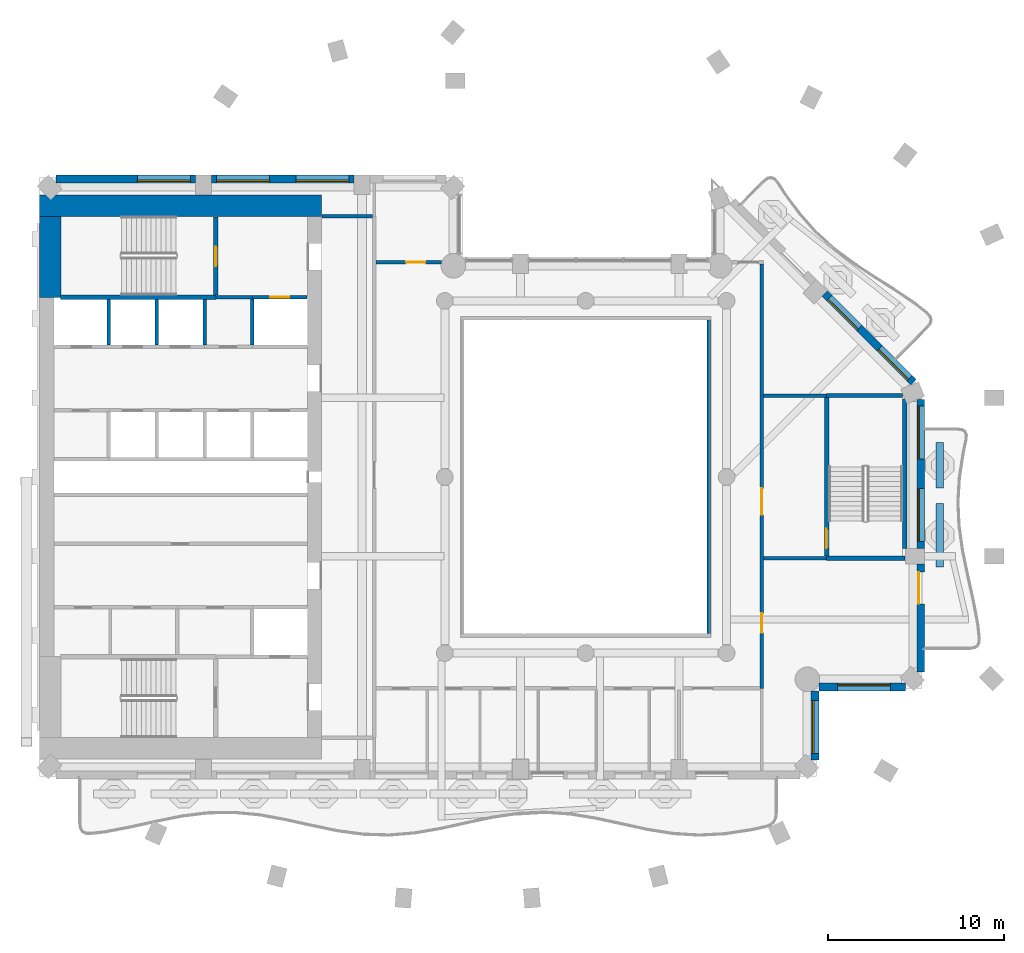
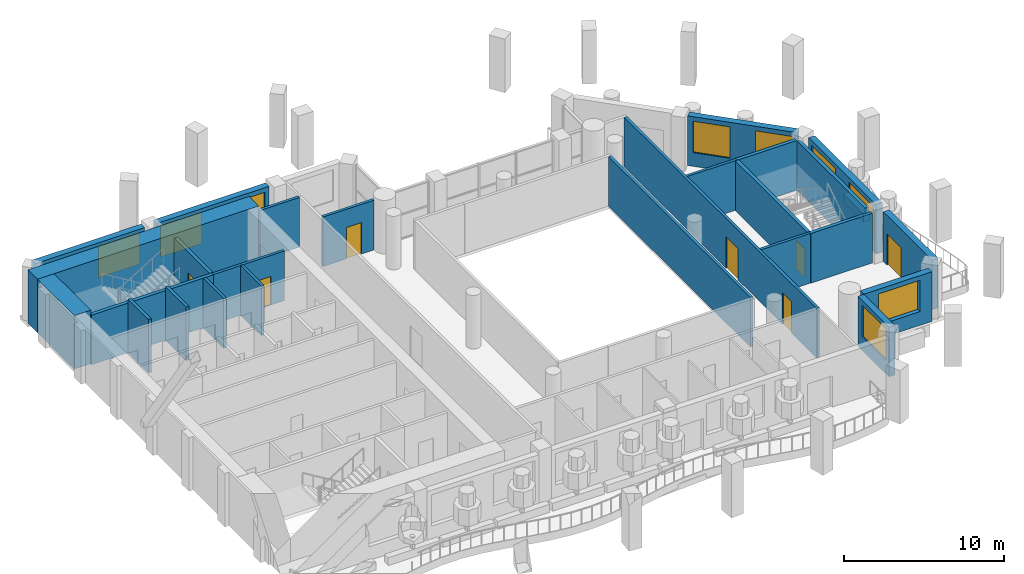
# One storey, part 6 of 16: 29 walls, 9 windows, 7 doors, 16 openings.
"""IFC4 building model written with IfcOpenShell, lengths in metres."""

from ifc_helpers import new_model, si_unit, direction, frame, frame_2d, origin, place, context, subcontext, project, spatial, rectangle, extrude, material, layer, layer_set, type_object, element, fill, save


model = new_model("IFC4")

# Units and contexts
model_context = context("Model", 3, precision=1e-05, world=origin(), true_north=direction((0.0, 1.0)))
body_context = subcontext(model_context, "Body", "Model", "MODEL_VIEW")
ifc_project = project(units=[si_unit("LENGTHUNIT", "METRE"), si_unit("AREAUNIT", "SQUARE_METRE"), si_unit("VOLUMEUNIT", "CUBIC_METRE"), si_unit("PLANEANGLEUNIT", "RADIAN"), si_unit("MASSUNIT", "GRAM", prefix="KILO")], contexts=[model_context])

# Site, building, storey
site_placement = place(None, origin())
site = spatial("IfcSite", under=ifc_project, at=site_placement, CompositionType="ELEMENT")
building_placement = place(site_placement, origin())
building = spatial("IfcBuilding", under=site, at=building_placement, Name="Cypress Arch Tower", CompositionType="ELEMENT")
storey_placement = place(building_placement, frame((0.0, 0.0, 172.800048828125)))
storey = spatial("IfcBuildingStorey", under=building, at=storey_placement, Name="L37", CompositionType="ELEMENT", Elevation=172.800048828125)

# Walls
ifc_material_1 = material(Name="Concrete C40/50, waterproofed", Category="concrete")
ifc_layer_1 = layer(ifc_material_1, 0.449951171875)
ifc_layer_set_1 = layer_set([ifc_layer_1], Name="Balcony planter wall PW450")
wall_type_1 = type_object("IfcWallType", Name="Balcony planter wall PW450", PredefinedType="SOLIDWALL", material=ifc_layer_set_1)
wall_1_placement = place(storey_placement, frame((21.10009765625, -5.10009765625, 0.0), z_axis=(0.0, 0.0, 1.0), x_axis=(0.0, 1.0, 0.0)))
element("IfcWall", 1, at=wall_1_placement, inside=storey, type_object=wall_type_1, Name="Balcony planter wall L37-B04.1", PredefinedType="SOLIDWALL", context=body_context, shape_type="SweptSolid", body=[
    extrude(rectangle(XDim=3.58349609375, YDim=0.449951171875, at=frame_2d((1.791748046875, 0.0))), origin(), (0.0, 0.0, 1.0), 0.599853515625),
])
wall_2_placement = place(storey_placement, frame((21.10009765625, -0.61669921875, 0.0), z_axis=(0.0, 0.0, 1.0), x_axis=(0.0, 1.0, 0.0)))
element("IfcWall", 2, at=wall_2_placement, inside=storey, type_object=wall_type_1, Name="Balcony planter wall L37-B04.2", PredefinedType="SOLIDWALL", context=body_context, shape_type="SweptSolid", body=[
    extrude(rectangle(XDim=2.566650390625, YDim=0.449951171875, at=frame_2d((1.283203125, 0.0))), origin(), (0.0, 0.0, 1.0), 0.599853515625),
])

# Wall, opening, window
ifc_material_2 = material(Name="Brick (red buff blend)", Category="masonry")
ifc_layer_2 = layer(ifc_material_2, 0.449951171875)
ifc_layer_set_2 = layer_set([ifc_layer_2], Name="Brick pier and spandrel wall BW450")
wall_type_2 = type_object("IfcWallType", Name="Brick pier and spandrel wall BW450", PredefinedType="SOLIDWALL", material=ifc_layer_set_2)
wall_3_placement = place(storey_placement, frame((14.02490234375, -16.063720703125, 0.0), z_axis=(0.0, 0.0, 1.0), x_axis=(0.0, 1.0, 0.0)))
wall_3 = element("IfcWall", 3, at=wall_3_placement, inside=storey, type_object=wall_type_2, Name="Brick wall L37 B02.0", PredefinedType="SOLIDWALL", context=body_context, shape_type="SweptSolid", body=[
    extrude(rectangle(XDim=3.9091796875, YDim=0.449951171875, at=frame_2d((1.95458984375, 0.0))), origin(), (0.0, 0.0, 1.0), 3.800048828125),
])
opening_1_placement = place(wall_3_placement, frame((0.363525390625, 0.0, 1.050048828125)))
opening_1 = element("IfcOpeningElement", 4, at=opening_1_placement, cuts=wall_3, Name="Opening W300O", PredefinedType="OPENING", context=body_context, shape_type="SweptSolid", body=[
    extrude(rectangle(XDim=3.0, YDim=2.39990234375, at=frame_2d((1.5, 1.199951171875))), frame((0.0, 0.23486328125, 0.0), z_axis=(0.0, -1.0, 0.0), x_axis=(1.0, 0.0, 0.0)), (0.0, 0.0, 1.0), 0.469970703125),
])
ifc_material_3 = material(Name="Anodised aluminium, bronze finish, clear low-emissivity double glazing", Category="aluminium")
window_type_1 = type_object("IfcWindowType", Name="Window Office 3000x2400", PartitioningType="SINGLE_PANEL", PredefinedType="WINDOW", material=ifc_material_3)
window_1_placement = place(opening_1_placement, origin())
window_1 = element("IfcWindow", 5, at=window_1_placement, inside=storey, type_object=window_type_1, Name="Window L37 B02.0.1", OverallHeight=2.39990234375, OverallWidth=3.0, PartitioningType="SINGLE_PANEL", PredefinedType="WINDOW", context=body_context, shape_type="SweptSolid", body=[
    extrude(rectangle(XDim=3.0, YDim=2.39990234375, at=frame_2d((1.5, 1.199951171875))), frame((0.0, 0.135009765625, 0.0), z_axis=(0.0, -1.0, 0.0), x_axis=(1.0, 0.0, 0.0)), (0.0, 0.0, 1.0), 0.06005859375),
])
fill(opening_1, window_1)

wall_4_placement = place(storey_placement, frame((14.254638671875, -11.925048828125, 0.0), z_axis=(0.0, 0.0, 1.0), x_axis=(1.0, 0.0, 0.0)))
wall_4 = element("IfcWall", 6, at=wall_4_placement, inside=storey, type_object=wall_type_2, Name="Brick wall L37 B03.0", PredefinedType="SOLIDWALL", context=body_context, shape_type="SweptSolid", body=[
    extrude(rectangle(XDim=4.908935546875, YDim=0.449951171875, at=frame_2d((2.45458984375, 0.0))), origin(), (0.0, 0.0, 1.0), 3.800048828125),
])
opening_2_placement = place(wall_4_placement, frame((1.04541015625, 0.0, 1.050048828125)))
opening_2 = element("IfcOpeningElement", 7, at=opening_2_placement, cuts=wall_4, Name="Opening W300O", PredefinedType="OPENING", context=body_context, shape_type="SweptSolid", body=[
    extrude(rectangle(XDim=3.0, YDim=2.39990234375, at=frame_2d((1.5, 1.199951171875))), frame((0.0, 0.23486328125, 0.0), z_axis=(0.0, -1.0, 0.0), x_axis=(1.0, 0.0, 0.0)), (0.0, 0.0, 1.0), 0.469970703125),
])
window_2_placement = place(opening_2_placement, origin())
window_2 = element("IfcWindow", 8, at=window_2_placement, inside=storey, type_object=window_type_1, Name="Window L37 B03.0.1", OverallHeight=2.39990234375, OverallWidth=3.0, PartitioningType="SINGLE_PANEL", PredefinedType="WINDOW", context=body_context, shape_type="SweptSolid", body=[
    extrude(rectangle(XDim=3.0, YDim=2.39990234375, at=frame_2d((1.5, 1.199951171875))), frame((0.0, 0.135009765625, 0.0), z_axis=(0.0, -1.0, 0.0), x_axis=(1.0, 0.0, 0.0)), (0.0, 0.0, 1.0), 0.06005859375),
])
fill(opening_2, window_2)

# Wall, opening, door
wall_5_placement = place(storey_placement, frame((20.02490234375, -11.063720703125, 0.0), z_axis=(0.0, 0.0, 1.0), x_axis=(0.0, 1.0, 0.0)))
wall_5 = element("IfcWall", 9, at=wall_5_placement, inside=storey, type_object=wall_type_2, Name="Brick wall L37 B04.0", PredefinedType="SOLIDWALL", context=body_context, shape_type="SweptSolid", body=[
    extrude(rectangle(XDim=6.11376953125, YDim=0.449951171875, at=frame_2d((3.056884765625, 0.0))), origin(), (0.0, 0.0, 1.0), 3.800048828125),
])
opening_3_placement = place(wall_5_placement, frame((3.863525390625, 0.0, 0.0)))
opening_3 = element("IfcOpeningElement", 10, at=opening_3_placement, cuts=wall_5, Name="Opening D-L37-B04.0.2", PredefinedType="OPENING", context=body_context, shape_type="SweptSolid", body=[
    extrude(rectangle(XDim=1.800048828125, YDim=2.39990234375, at=frame_2d((0.89990234375, 1.199951171875))), frame((0.0, 0.23486328125, 0.0), z_axis=(0.0, -1.0, 0.0), x_axis=(1.0, 0.0, 0.0)), (0.0, 0.0, 1.0), 0.469970703125),
])
ifc_material_4 = material(Name="Anodised aluminium, bronze finish, laminated low-emissivity double glazing, large-missile impact rated", Category="aluminium")
door_type_1 = type_object("IfcDoorType", Name="Balcony sliding door 1800x2400", OperationType="SLIDING_TO_LEFT", PredefinedType="DOOR", material=ifc_material_4)
door_1_placement = place(opening_3_placement, origin())
door_1 = element("IfcDoor", 11, at=door_1_placement, inside=storey, type_object=door_type_1, Name="Balcony door L37 B04.0.2", OperationType="SLIDING_TO_LEFT", OverallHeight=2.39990234375, OverallWidth=1.800048828125, PredefinedType="DOOR", context=body_context, shape_type="SweptSolid", body=[
    extrude(rectangle(XDim=1.800048828125, YDim=2.39990234375, at=frame_2d((0.89990234375, 1.199951171875))), frame((0.0, 0.1298828125, 0.0), z_axis=(0.0, -1.0, 0.0), x_axis=(1.0, 0.0, 0.0)), (0.0, 0.0, 1.0), 0.050048828125),
])
fill(opening_3, door_1)

# Wall, openings, windows
wall_6_placement = place(storey_placement, frame((20.02490234375, -4.050048828125, 0.0), z_axis=(0.0, 0.0, 1.0), x_axis=(0.0, 1.0, 0.0)))
wall_6 = element("IfcWall", 12, at=wall_6_placement, inside=storey, type_object=wall_type_2, Name="Brick wall L37 B04.1", PredefinedType="SOLIDWALL", context=body_context, shape_type="SweptSolid", body=[
    extrude(rectangle(XDim=8.438720703125, YDim=0.449951171875, at=frame_2d((4.21923828125, 0.0))), origin(), (0.0, 0.0, 1.0), 3.800048828125),
])
opening_4_placement = place(wall_6_placement, frame((0.39404296875, 0.0, 1.050048828125)))
opening_4 = element("IfcOpeningElement", 13, at=opening_4_placement, cuts=wall_6, Name="Opening W300OD", PredefinedType="OPENING", context=body_context, shape_type="SweptSolid", body=[
    extrude(rectangle(XDim=3.0, YDim=2.39990234375, at=frame_2d((1.5, 1.199951171875))), frame((0.0, 0.23486328125, 0.0), z_axis=(0.0, -1.0, 0.0), x_axis=(1.0, 0.0, 0.0)), (0.0, 0.0, 1.0), 0.469970703125),
])
opening_5_placement = place(wall_6_placement, frame((5.081787109375, 0.0, 1.050048828125)))
opening_5 = element("IfcOpeningElement", 14, at=opening_5_placement, cuts=wall_6, Name="Opening W300OD", PredefinedType="OPENING", context=body_context, shape_type="SweptSolid", body=[
    extrude(rectangle(XDim=3.0, YDim=2.39990234375, at=frame_2d((1.5, 1.199951171875))), frame((0.0, 0.23486328125, 0.0), z_axis=(0.0, -1.0, 0.0), x_axis=(1.0, 0.0, 0.0)), (0.0, 0.0, 1.0), 0.469970703125),
])
ifc_material_5 = material(Name="Anodised aluminium, bronze finish, laminated low-emissivity double glazing, large-missile impact rated", Category="aluminium")
window_type_2 = type_object("IfcWindowType", Name="Window Office 3000x2400 debris-rated", PartitioningType="SINGLE_PANEL", PredefinedType="WINDOW", material=ifc_material_5)
window_3_placement = place(opening_4_placement, origin())
window_3 = element("IfcWindow", 15, at=window_3_placement, inside=storey, type_object=window_type_2, Name="Window L37 B04.1.1", OverallHeight=2.39990234375, OverallWidth=3.0, PartitioningType="SINGLE_PANEL", PredefinedType="WINDOW", context=body_context, shape_type="SweptSolid", body=[
    extrude(rectangle(XDim=3.0, YDim=2.39990234375, at=frame_2d((1.5, 1.199951171875))), frame((0.0, 0.135009765625, 0.0), z_axis=(0.0, -1.0, 0.0), x_axis=(1.0, 0.0, 0.0)), (0.0, 0.0, 1.0), 0.06005859375),
])
fill(opening_4, window_3)
window_4_placement = place(opening_5_placement, origin())
window_4 = element("IfcWindow", 16, at=window_4_placement, inside=storey, type_object=window_type_2, Name="Window L37 B04.1.2", OverallHeight=2.39990234375, OverallWidth=3.0, PartitioningType="SINGLE_PANEL", PredefinedType="WINDOW", context=body_context, shape_type="SweptSolid", body=[
    extrude(rectangle(XDim=3.0, YDim=2.39990234375, at=frame_2d((1.5, 1.199951171875))), frame((0.0, 0.135009765625, 0.0), z_axis=(0.0, -1.0, 0.0), x_axis=(1.0, 0.0, 0.0)), (0.0, 0.0, 1.0), 0.06005859375),
])
fill(opening_5, window_4)

wall_7_placement = place(storey_placement, frame((19.61474609375, 5.379150390625, 0.0), z_axis=(0.0, 0.0, 1.0), x_axis=(-0.707089646058, 0.7071239159, 0.0)))
wall_7 = element("IfcWall", 17, at=wall_7_placement, inside=storey, type_object=wall_type_2, Name="Brick wall L37 B05.0", PredefinedType="SOLIDWALL", context=body_context, shape_type="SweptSolid", body=[
    extrude(rectangle(XDim=7.1240234375, YDim=0.449951171875, at=frame_2d((3.56201171875, 0.0))), origin(), (0.0, 0.0, 1.0), 3.800048828125),
])
opening_6_placement = place(wall_7_placement, frame((0.328125, 0.0, 1.050048828125)))
opening_6 = element("IfcOpeningElement", 18, at=opening_6_placement, cuts=wall_7, Name="Opening W240OD", PredefinedType="OPENING", context=body_context, shape_type="SweptSolid", body=[
    extrude(rectangle(XDim=2.39990234375, YDim=2.39990234375, at=frame_2d((1.199951171875, 1.199951171875))), frame((0.0, 0.23486328125, 0.0), z_axis=(0.0, -1.0, 0.0), x_axis=(1.0, 0.0, 0.0)), (0.0, 0.0, 1.0), 0.469970703125),
])
opening_7_placement = place(wall_7_placement, frame((4.358642578125, 0.0, 1.050048828125)))
opening_7 = element("IfcOpeningElement", 19, at=opening_7_placement, cuts=wall_7, Name="Opening W240OD", PredefinedType="OPENING", context=body_context, shape_type="SweptSolid", body=[
    extrude(rectangle(XDim=2.39990234375, YDim=2.39990234375, at=frame_2d((1.199951171875, 1.199951171875))), frame((0.0, 0.23486328125, 0.0), z_axis=(0.0, -1.0, 0.0), x_axis=(1.0, 0.0, 0.0)), (0.0, 0.0, 1.0), 0.469970703125),
])
ifc_material_6 = material(Name="Anodised aluminium, bronze finish, laminated low-emissivity double glazing, large-missile impact rated", Category="aluminium")
window_type_3 = type_object("IfcWindowType", Name="Window Office 2400x2400 debris-rated", PartitioningType="SINGLE_PANEL", PredefinedType="WINDOW", material=ifc_material_6)
window_5_placement = place(opening_6_placement, origin())
window_5 = element("IfcWindow", 20, at=window_5_placement, inside=storey, type_object=window_type_3, Name="Window L37 B05.0.1", OverallHeight=2.39990234375, OverallWidth=2.39990234375, PartitioningType="SINGLE_PANEL", PredefinedType="WINDOW", context=body_context, shape_type="SweptSolid", body=[
    extrude(rectangle(XDim=2.39990234375, YDim=2.39990234375, at=frame_2d((1.199951171875, 1.199951171875))), frame((0.0, 0.135009765625, 0.0), z_axis=(0.0, -1.0, 0.0), x_axis=(1.0, 0.0, 0.0)), (0.0, 0.0, 1.0), 0.06005859375),
])
fill(opening_6, window_5)
window_6_placement = place(opening_7_placement, origin())
window_6 = element("IfcWindow", 21, at=window_6_placement, inside=storey, type_object=window_type_3, Name="Window L37 B05.0.2", OverallHeight=2.39990234375, OverallWidth=2.39990234375, PartitioningType="SINGLE_PANEL", PredefinedType="WINDOW", context=body_context, shape_type="SweptSolid", body=[
    extrude(rectangle(XDim=2.39990234375, YDim=2.39990234375, at=frame_2d((1.199951171875, 1.199951171875))), frame((0.0, 0.135009765625, 0.0), z_axis=(0.0, -1.0, 0.0), x_axis=(1.0, 0.0, 0.0)), (0.0, 0.0, 1.0), 0.06005859375),
])
fill(opening_7, window_6)

wall_8_placement = place(storey_placement, frame((-12.14990234375, 16.925048828125, 0.0), z_axis=(0.0, 0.0, 1.0), x_axis=(-1.0, 0.0, 0.0)))
wall_8 = element("IfcWall", 22, at=wall_8_placement, inside=storey, type_object=wall_type_2, Name="Brick wall L37 B09.1", PredefinedType="SOLIDWALL", context=body_context, shape_type="SweptSolid", body=[
    extrude(rectangle(XDim=8.10009765625, YDim=0.449951171875, at=frame_2d((4.050048828125, 0.0))), origin(), (0.0, 0.0, 1.0), 3.800048828125),
])
opening_8_placement = place(wall_8_placement, frame((0.300048828125, 0.0, 1.050048828125)))
opening_8 = element("IfcOpeningElement", 23, at=opening_8_placement, cuts=wall_8, Name="Opening W300O", PredefinedType="OPENING", context=body_context, shape_type="SweptSolid", body=[
    extrude(rectangle(XDim=3.0, YDim=2.39990234375, at=frame_2d((1.5, 1.199951171875))), frame((0.0, 0.23486328125, 0.0), z_axis=(0.0, -1.0, 0.0), x_axis=(1.0, 0.0, 0.0)), (0.0, 0.0, 1.0), 0.469970703125),
])
opening_9_placement = place(wall_8_placement, frame((4.800048828125, 0.0, 1.050048828125)))
opening_9 = element("IfcOpeningElement", 24, at=opening_9_placement, cuts=wall_8, Name="Opening W300O", PredefinedType="OPENING", context=body_context, shape_type="SweptSolid", body=[
    extrude(rectangle(XDim=3.0, YDim=2.39990234375, at=frame_2d((1.5, 1.199951171875))), frame((0.0, 0.23486328125, 0.0), z_axis=(0.0, -1.0, 0.0), x_axis=(1.0, 0.0, 0.0)), (0.0, 0.0, 1.0), 0.469970703125),
])
window_7_placement = place(opening_8_placement, origin())
window_7 = element("IfcWindow", 25, at=window_7_placement, inside=storey, type_object=window_type_1, Name="Window L37 B09.1.1", OverallHeight=2.39990234375, OverallWidth=3.0, PartitioningType="SINGLE_PANEL", PredefinedType="WINDOW", context=body_context, shape_type="SweptSolid", body=[
    extrude(rectangle(XDim=3.0, YDim=2.39990234375, at=frame_2d((1.5, 1.199951171875))), frame((0.0, 0.135009765625, 0.0), z_axis=(0.0, -1.0, 0.0), x_axis=(1.0, 0.0, 0.0)), (0.0, 0.0, 1.0), 0.06005859375),
])
fill(opening_8, window_7)
window_8_placement = place(opening_9_placement, origin())
window_8 = element("IfcWindow", 26, at=window_8_placement, inside=storey, type_object=window_type_1, Name="Window L37 B09.1.2", OverallHeight=2.39990234375, OverallWidth=3.0, PartitioningType="SINGLE_PANEL", PredefinedType="WINDOW", context=body_context, shape_type="SweptSolid", body=[
    extrude(rectangle(XDim=3.0, YDim=2.39990234375, at=frame_2d((1.5, 1.199951171875))), frame((0.0, 0.135009765625, 0.0), z_axis=(0.0, -1.0, 0.0), x_axis=(1.0, 0.0, 0.0)), (0.0, 0.0, 1.0), 0.06005859375),
])
fill(opening_9, window_8)

# Wall, opening, window
wall_9_placement = place(storey_placement, frame((-21.14990234375, 16.925048828125, 0.0), z_axis=(0.0, 0.0, 1.0), x_axis=(-1.0, 0.0, 0.0)))
wall_9 = element("IfcWall", 27, at=wall_9_placement, inside=storey, type_object=wall_type_2, Name="Brick wall L37 B09.2", PredefinedType="SOLIDWALL", context=body_context, shape_type="SweptSolid", body=[
    extrude(rectangle(XDim=7.913818359375, YDim=0.449951171875, at=frame_2d((3.95703125, 0.0))), origin(), (0.0, 0.0, 1.0), 3.800048828125),
])
opening_10_placement = place(wall_9_placement, frame((0.300048828125, 0.0, 1.050048828125)))
opening_10 = element("IfcOpeningElement", 28, at=opening_10_placement, cuts=wall_9, Name="Opening W300O", PredefinedType="OPENING", context=body_context, shape_type="SweptSolid", body=[
    extrude(rectangle(XDim=3.0, YDim=2.39990234375, at=frame_2d((1.5, 1.199951171875))), frame((0.0, 0.23486328125, 0.0), z_axis=(0.0, -1.0, 0.0), x_axis=(1.0, 0.0, 0.0)), (0.0, 0.0, 1.0), 0.469970703125),
])
window_9_placement = place(opening_10_placement, origin())
window_9 = element("IfcWindow", 29, at=window_9_placement, inside=storey, type_object=window_type_1, Name="Window L37 B09.2.1", OverallHeight=2.39990234375, OverallWidth=3.0, PartitioningType="SINGLE_PANEL", PredefinedType="WINDOW", context=body_context, shape_type="SweptSolid", body=[
    extrude(rectangle(XDim=3.0, YDim=2.39990234375, at=frame_2d((1.5, 1.199951171875))), frame((0.0, 0.135009765625, 0.0), z_axis=(0.0, -1.0, 0.0), x_axis=(1.0, 0.0, 0.0)), (0.0, 0.0, 1.0), 0.06005859375),
])
fill(opening_10, window_9)

# Walls
ifc_material_7 = material(Name="Concrete C70/85", Category="concrete")
ifc_layer_3 = layer(ifc_material_7, 1.199951171875)
ifc_layer_set_3 = layer_set([ifc_layer_3], Name="Core wall CW1200 C70/85")
wall_type_3 = type_object("IfcWallType", Name="Core wall CW1200 C70/85", PredefinedType="SHEAR", material=ifc_layer_set_3)
wall_10_placement = place(storey_placement, frame((-30.0, 15.39990234375, 0.0), z_axis=(0.0, 0.0, 1.0), x_axis=(1.0, 0.0, 0.0)))
element("IfcWall", 30, at=wall_10_placement, inside=storey, type_object=wall_type_3, Name="Core wall", PredefinedType="SHEAR", context=body_context, shape_type="SweptSolid", body=[
    extrude(rectangle(XDim=16.0, YDim=1.199951171875, at=frame_2d((8.0, 0.0))), origin(), (0.0, 0.0, 1.0), 4.099853515625),
])
wall_11_placement = place(storey_placement, frame((-29.39990234375, 10.199951171875, 0.0), z_axis=(0.0, 0.0, 1.0), x_axis=(0.0, 1.0, 0.0)))
element("IfcWall", 31, at=wall_11_placement, inside=storey, type_object=wall_type_3, Name="Core wall", PredefinedType="SHEAR", context=body_context, shape_type="SweptSolid", body=[
    extrude(rectangle(XDim=4.60009765625, YDim=1.199951171875, at=frame_2d((2.300048828125, 0.0))), origin(), (0.0, 0.0, 1.0), 4.099853515625),
])
ifc_material_8 = material(Name="Concrete blockwork, plastered, rated", Category="masonry")
ifc_layer_4 = layer(ifc_material_8, 0.199951171875)
ifc_layer_set_4 = layer_set([ifc_layer_4], Name="Corridor wall FW200")
wall_type_4 = type_object("IfcWallType", Name="Corridor wall FW200", PredefinedType="PARTITIONING", material=ifc_layer_set_4)
wall_12_placement = place(storey_placement, frame((-13.969970703125, 14.800048828125, 0.0), z_axis=(0.0, 0.0, 1.0), x_axis=(1.0, 0.0, 0.0)))
element("IfcWall", 32, at=wall_12_placement, inside=storey, type_object=wall_type_4, Name="Corridor wall", PredefinedType="PARTITIONING", context=body_context, shape_type="SweptSolid", body=[
    extrude(rectangle(XDim=2.869873046875, YDim=0.199951171875, at=frame_2d((1.43505859375, 0.0))), origin(), (0.0, 0.0, 1.0), 3.800048828125),
])

# Wall, opening, door
wall_13_placement = place(storey_placement, frame((-10.89990234375, 12.199951171875, 0.0), z_axis=(0.0, 0.0, 1.0), x_axis=(1.0, 0.0, 0.0)))
wall_13 = element("IfcWall", 33, at=wall_13_placement, inside=storey, type_object=wall_type_4, Name="Corridor wall", PredefinedType="PARTITIONING", context=body_context, shape_type="SweptSolid", body=[
    extrude(rectangle(XDim=3.7041015625, YDim=0.199951171875, at=frame_2d((1.85205078125, 0.0))), origin(), (0.0, 0.0, 1.0), 3.800048828125),
])
opening_11_placement = place(wall_13_placement, frame((1.699951171875, 0.0, 0.0)))
opening_11 = element("IfcOpeningElement", 34, at=opening_11_placement, cuts=wall_13, Name="Opening D01", PredefinedType="OPENING", context=body_context, shape_type="SweptSolid", body=[
    extrude(rectangle(XDim=1.10009765625, YDim=2.39990234375, at=frame_2d((0.550048828125, 1.199951171875))), frame((0.0, 0.10986328125, 0.0), z_axis=(0.0, -1.0, 0.0), x_axis=(1.0, 0.0, 0.0)), (0.0, 0.0, 1.0), 0.219970703125),
])
ifc_material_9 = material(Name="Timber flush door, fire resisting, self-closing", Category="wood")
door_type_2 = type_object("IfcDoorType", Name="Unit entrance door D01 1100x2400", OperationType="SINGLE_SWING_LEFT", PredefinedType="DOOR", material=ifc_material_9)
door_2_placement = place(opening_11_placement, origin())
door_2 = element("IfcDoor", 35, at=door_2_placement, inside=storey, type_object=door_type_2, Name="Unit entrance door", OperationType="SINGLE_SWING_RIGHT", OverallHeight=2.39990234375, OverallWidth=1.10009765625, PredefinedType="DOOR", context=body_context, shape_type="SweptSolid", body=[
    extrude(rectangle(XDim=1.10009765625, YDim=2.39990234375, at=frame_2d((0.550048828125, 1.199951171875))), frame((0.0, 0.02490234375, 0.0), z_axis=(0.0, -1.0, 0.0), x_axis=(1.0, 0.0, 0.0)), (0.0, 0.0, 1.0), 0.050048828125),
])
fill(opening_11, door_2)

# Wall
wall_14_placement = place(storey_placement, frame((8.0, -8.89990234375, 0.0), z_axis=(0.0, 0.0, 1.0), x_axis=(0.0, 1.0, 0.0)))
element("IfcWall", 36, at=wall_14_placement, inside=storey, type_object=wall_type_4, Name="Corridor wall", PredefinedType="PARTITIONING", context=body_context, shape_type="SweptSolid", body=[
    extrude(rectangle(XDim=17.7998046875, YDim=0.199951171875, at=frame_2d((8.89990234375, 0.0))), origin(), (0.0, 0.0, 1.0), 3.800048828125),
])

# Wall, openings, doors
wall_15_placement = place(storey_placement, frame((11.0, -12.0, 0.0), z_axis=(0.0, 0.0, 1.0), x_axis=(0.0, 1.0, 0.0)))
wall_15 = element("IfcWall", 37, at=wall_15_placement, inside=storey, type_object=wall_type_4, Name="Corridor wall", PredefinedType="PARTITIONING", context=body_context, shape_type="SweptSolid", body=[
    extrude(rectangle(XDim=24.10009765625, YDim=0.199951171875, at=frame_2d((12.050048828125, 0.0))), origin(), (0.0, 0.0, 1.0), 3.800048828125),
])
opening_12_placement = place(wall_15_placement, frame((9.85009765625, 0.0, 0.0)))
opening_12 = element("IfcOpeningElement", 38, at=opening_12_placement, cuts=wall_15, Name="Opening D07", PredefinedType="OPENING", context=body_context, shape_type="SweptSolid", body=[
    extrude(rectangle(XDim=1.5, YDim=2.39990234375, at=frame_2d((0.75, 1.199951171875))), frame((0.0, 0.10986328125, 0.0), z_axis=(0.0, -1.0, 0.0), x_axis=(1.0, 0.0, 0.0)), (0.0, 0.0, 1.0), 0.219970703125),
])
opening_13_placement = place(wall_15_placement, frame((3.14990234375, 0.0, 0.0)))
opening_13 = element("IfcOpeningElement", 39, at=opening_13_placement, cuts=wall_15, Name="Opening D01", PredefinedType="OPENING", context=body_context, shape_type="SweptSolid", body=[
    extrude(rectangle(XDim=1.10009765625, YDim=2.39990234375, at=frame_2d((0.550048828125, 1.199951171875))), frame((0.0, 0.10986328125, 0.0), z_axis=(0.0, -1.0, 0.0), x_axis=(1.0, 0.0, 0.0)), (0.0, 0.0, 1.0), 0.219970703125),
])
ifc_material_10 = material(Name="Steel framed glazed door, fire resisting", Category="steel")
door_type_3 = type_object("IfcDoorType", Name="Lobby door D07 1500x2400", OperationType="DOUBLE_DOOR_SINGLE_SWING", PredefinedType="DOOR", material=ifc_material_10)
door_3_placement = place(opening_12_placement, origin())
door_3 = element("IfcDoor", 40, at=door_3_placement, inside=storey, type_object=door_type_3, Name="Lobby door", OperationType="DOUBLE_DOOR_SINGLE_SWING", OverallHeight=2.39990234375, OverallWidth=1.5, PredefinedType="DOOR", context=body_context, shape_type="SweptSolid", body=[
    extrude(rectangle(XDim=1.5, YDim=2.39990234375, at=frame_2d((0.75, 1.199951171875))), frame((0.0, 0.02490234375, 0.0), z_axis=(0.0, -1.0, 0.0), x_axis=(1.0, 0.0, 0.0)), (0.0, 0.0, 1.0), 0.050048828125),
])
fill(opening_12, door_3)
door_4_placement = place(opening_13_placement, origin())
door_4 = element("IfcDoor", 41, at=door_4_placement, inside=storey, type_object=door_type_2, Name="Unit entrance door", OperationType="SINGLE_SWING_RIGHT", OverallHeight=2.39990234375, OverallWidth=1.10009765625, PredefinedType="DOOR", context=body_context, shape_type="SweptSolid", body=[
    extrude(rectangle(XDim=1.10009765625, YDim=2.39990234375, at=frame_2d((0.550048828125, 1.199951171875))), frame((0.0, 0.02490234375, 0.0), z_axis=(0.0, -1.0, 0.0), x_axis=(1.0, 0.0, 0.0)), (0.0, 0.0, 1.0), 0.050048828125),
])
fill(opening_13, door_4)

# Walls
for number, where, z_axis, x_axis, name in (
    (42, (11.10009765625, -4.625, 0.0), (0.0, 0.0, 1.0), (1.0, 0.0, 0.0), "Corridor wall"),
    (43, (11.10009765625, 4.625, 0.0), (0.0, 0.0, 1.0), (1.0, 0.0, 0.0), "Corridor wall"),
):
    element("IfcWall", number, at=place(storey_placement, frame(where, z_axis=z_axis, x_axis=x_axis)), inside=storey, type_object=wall_type_4, Name=name, PredefinedType="PARTITIONING", context=body_context, shape_type="SweptSolid", body=[
        extrude(rectangle(XDim=3.574951171875, YDim=0.199951171875, at=frame_2d((1.78759765625, 0.0))), origin(), (0.0, 0.0, 1.0), 3.800048828125),
    ])
ifc_material_11 = material(Name="Reinforced blockwork, plastered, rated", Category="masonry")
ifc_layer_5 = layer(ifc_material_11, 0.199951171875)
ifc_layer_set_5 = layer_set([ifc_layer_5], Name="Plant and riser wall PL200")
wall_type_5 = type_object("IfcWallType", Name="Plant and riser wall PL200", PredefinedType="PARTITIONING", material=ifc_layer_set_5)
wall_16_placement = place(storey_placement, frame((-20.0, 10.199951171875, 0.0), z_axis=(0.0, 0.0, 1.0), x_axis=(1.0, 0.0, 0.0)))
element("IfcWall", 44, at=wall_16_placement, inside=storey, type_object=wall_type_5, Name="Plant and riser wall", PredefinedType="PARTITIONING", context=body_context, shape_type="SweptSolid", body=[
    extrude(rectangle(XDim=2.080078125, YDim=0.199951171875, at=frame_2d((1.0400390625, 0.0))), origin(), (0.0, 0.0, 1.0), 3.800048828125),
])
ifc_material_12 = material(Name="Concrete C50/60", Category="concrete")
ifc_layer_6 = layer(ifc_material_12, 0.199951171875)
ifc_layer_set_6 = layer_set([ifc_layer_6], Name="Shaft wall SH200")
wall_type_6 = type_object("IfcWallType", Name="Shaft wall SH200", PredefinedType="SHEAR", material=ifc_layer_set_6)
for number, where, z_axis, x_axis, name in (
    (45, (-26.080078125, 7.5, 0.0), (0.0, 0.0, 1.0), (0.0, 1.0, 0.0), "Shaft wall"),
    (46, (-23.360107421875, 7.5, 0.0), (0.0, 0.0, 1.0), (0.0, 1.0, 0.0), "Shaft wall"),
):
    element("IfcWall", number, at=place(storey_placement, frame(where, z_axis=z_axis, x_axis=x_axis)), inside=storey, type_object=wall_type_6, Name=name, PredefinedType="SHEAR", context=body_context, shape_type="SweptSolid", body=[
        extrude(rectangle(XDim=2.574951171875, YDim=0.199951171875, at=frame_2d((1.28759765625, 0.0))), origin(), (0.0, 0.0, 1.0), 4.099853515625),
    ])
wall_17_placement = place(storey_placement, frame((-20.639892578125, 7.5, 0.0), z_axis=(0.0, 0.0, 1.0), x_axis=(0.0, 1.0, 0.0)))
element("IfcWall", 47, at=wall_17_placement, inside=storey, type_object=wall_type_6, Name="Shaft wall", PredefinedType="SHEAR", context=body_context, shape_type="SweptSolid", body=[
    extrude(rectangle(XDim=2.574951171875, YDim=0.199951171875, at=frame_2d((1.28759765625, 0.0))), origin(), (0.0, 0.0, 1.0), 3.800048828125),
])
wall_18_placement = place(storey_placement, frame((-17.919921875, 7.5, 0.0), z_axis=(0.0, 0.0, 1.0), x_axis=(0.0, 1.0, 0.0)))
element("IfcWall", 48, at=wall_18_placement, inside=storey, type_object=wall_type_6, Name="Shaft wall", PredefinedType="SHEAR", context=body_context, shape_type="SweptSolid", body=[
    extrude(rectangle(XDim=2.60009765625, YDim=0.199951171875, at=frame_2d((1.300048828125, 0.0))), origin(), (0.0, 0.0, 1.0), 3.800048828125),
])

# Wall, opening, door
wall_19_placement = place(storey_placement, frame((-17.919921875, 10.199951171875, 0.0), z_axis=(0.0, 0.0, 1.0), x_axis=(1.0, 0.0, 0.0)))
wall_19 = element("IfcWall", 49, at=wall_19_placement, inside=storey, type_object=wall_type_6, Name="Shaft wall", PredefinedType="SHEAR", context=body_context, shape_type="SweptSolid", body=[
    extrude(rectangle(XDim=3.08984375, YDim=0.199951171875, at=frame_2d((1.544921875, 0.0))), origin(), (0.0, 0.0, 1.0), 3.800048828125),
])
opening_14_placement = place(wall_19_placement, frame((1.0, 0.0, 0.0)))
opening_14 = element("IfcOpeningElement", 50, at=opening_14_placement, cuts=wall_19, Name="Opening LD-FL2", PredefinedType="OPENING", context=body_context, shape_type="SweptSolid", body=[
    extrude(rectangle(XDim=1.10009765625, YDim=2.199951171875, at=frame_2d((0.550048828125, 1.10009765625))), frame((0.0, 0.10986328125, 0.0), z_axis=(0.0, -1.0, 0.0), x_axis=(1.0, 0.0, 0.0)), (0.0, 0.0, 1.0), 0.219970703125),
])
ifc_material_13 = material(Name="Stainless steel centre-opening landing door, rated", Category="steel")
door_type_4 = type_object("IfcDoorType", Name="Lift landing door LD 1100x2200", OperationType="DOUBLE_DOOR_SLIDING", PredefinedType="DOOR", material=ifc_material_13)
door_5_placement = place(opening_14_placement, origin())
door_5 = element("IfcDoor", 51, at=door_5_placement, inside=storey, type_object=door_type_4, Name="Lift landing doors FL2", OperationType="DOUBLE_DOOR_SLIDING", OverallHeight=2.199951171875, OverallWidth=1.10009765625, PredefinedType="DOOR", context=body_context, shape_type="SweptSolid", body=[
    extrude(rectangle(XDim=1.10009765625, YDim=2.199951171875, at=frame_2d((0.550048828125, 1.10009765625))), frame((0.0, 0.02490234375, 0.0), z_axis=(0.0, -1.0, 0.0), x_axis=(1.0, 0.0, 0.0)), (0.0, 0.0, 1.0), 0.050048828125),
])
fill(opening_14, door_5)

# Wall
ifc_material_14 = material(Name="Concrete C50/60", Category="concrete")
ifc_layer_7 = layer(ifc_material_14, 0.25)
ifc_layer_set_7 = layer_set([ifc_layer_7], Name="Stair enclosure wall SW250")
wall_type_7 = type_object("IfcWallType", Name="Stair enclosure wall SW250", PredefinedType="SHEAR", material=ifc_layer_set_7)
wall_20_placement = place(storey_placement, frame((-28.81005859375, 10.199951171875, 0.0), z_axis=(0.0, 0.0, 1.0), x_axis=(1.0, 0.0, 0.0)))
element("IfcWall", 52, at=wall_20_placement, inside=storey, type_object=wall_type_7, Name="Stair enclosure wall", PredefinedType="SHEAR", context=body_context, shape_type="SweptSolid", body=[
    extrude(rectangle(XDim=8.81005859375, YDim=0.25, at=frame_2d((4.405029296875, 0.0))), origin(), (0.0, 0.0, 1.0), 3.800048828125),
])

# Wall, opening, door
wall_21_placement = place(storey_placement, frame((-20.0, 10.324951171875, 0.0), z_axis=(0.0, 0.0, 1.0), x_axis=(0.0, 1.0, 0.0)))
wall_21 = element("IfcWall", 53, at=wall_21_placement, inside=storey, type_object=wall_type_7, Name="Stair enclosure wall", PredefinedType="SHEAR", context=body_context, shape_type="SweptSolid", body=[
    extrude(rectangle(XDim=4.445068359375, YDim=0.25, at=frame_2d((2.22265625, 0.0))), origin(), (0.0, 0.0, 1.0), 3.800048828125),
])
opening_15_placement = place(wall_21_placement, frame((1.64990234375, 0.0, 0.0)))
opening_15 = element("IfcOpeningElement", 54, at=opening_15_placement, cuts=wall_21, Name="Opening D06", PredefinedType="OPENING", context=body_context, shape_type="SweptSolid", body=[
    extrude(rectangle(XDim=1.10009765625, YDim=2.199951171875, at=frame_2d((0.550048828125, 1.10009765625))), frame((0.0, 0.135009765625, 0.0), z_axis=(0.0, -1.0, 0.0), x_axis=(1.0, 0.0, 0.0)), (0.0, 0.0, 1.0), 0.27001953125),
])
ifc_material_15 = material(Name="Steel door, fire resisting, panic bar", Category="steel")
door_type_5 = type_object("IfcDoorType", Name="Stair door D06 1100x2200", OperationType="SINGLE_SWING_LEFT", PredefinedType="DOOR", material=ifc_material_15)
door_6_placement = place(opening_15_placement, origin())
door_6 = element("IfcDoor", 55, at=door_6_placement, inside=storey, type_object=door_type_5, Name="Stair door", OperationType="SINGLE_SWING_LEFT", OverallHeight=2.199951171875, OverallWidth=1.10009765625, PredefinedType="DOOR", context=body_context, shape_type="SweptSolid", body=[
    extrude(rectangle(XDim=1.10009765625, YDim=2.199951171875, at=frame_2d((0.550048828125, 1.10009765625))), frame((0.0, 0.02490234375, 0.0), z_axis=(0.0, -1.0, 0.0), x_axis=(1.0, 0.0, 0.0)), (0.0, 0.0, 1.0), 0.050048828125),
])
fill(opening_15, door_6)

wall_22_placement = place(storey_placement, frame((14.675048828125, -4.5, 0.0), z_axis=(0.0, 0.0, 1.0), x_axis=(0.0, 1.0, 0.0)))
wall_22 = element("IfcWall", 56, at=wall_22_placement, inside=storey, type_object=wall_type_7, Name="Stair enclosure wall", PredefinedType="SHEAR", context=body_context, shape_type="SweptSolid", body=[
    extrude(rectangle(XDim=9.0, YDim=0.25, at=frame_2d((4.5, 0.0))), origin(), (0.0, 0.0, 1.0), 3.800048828125),
])
opening_16_placement = place(wall_22_placement, frame((0.449951171875, 0.0, 0.0)))
opening_16 = element("IfcOpeningElement", 57, at=opening_16_placement, cuts=wall_22, Name="Opening D06", PredefinedType="OPENING", context=body_context, shape_type="SweptSolid", body=[
    extrude(rectangle(XDim=1.10009765625, YDim=2.199951171875, at=frame_2d((0.550048828125, 1.10009765625))), frame((0.0, 0.135009765625, 0.0), z_axis=(0.0, -1.0, 0.0), x_axis=(1.0, 0.0, 0.0)), (0.0, 0.0, 1.0), 0.27001953125),
])
door_7_placement = place(opening_16_placement, origin())
door_7 = element("IfcDoor", 58, at=door_7_placement, inside=storey, type_object=door_type_5, Name="Stair door", OperationType="SINGLE_SWING_RIGHT", OverallHeight=2.199951171875, OverallWidth=1.10009765625, PredefinedType="DOOR", context=body_context, shape_type="SweptSolid", body=[
    extrude(rectangle(XDim=1.10009765625, YDim=2.199951171875, at=frame_2d((0.550048828125, 1.10009765625))), frame((0.0, 0.02490234375, 0.0), z_axis=(0.0, -1.0, 0.0), x_axis=(1.0, 0.0, 0.0)), (0.0, 0.0, 1.0), 0.050048828125),
])
fill(opening_16, door_7)

# Walls
wall_23_placement = place(storey_placement, frame((14.675048828125, -4.625, 0.0), z_axis=(0.0, 0.0, 1.0), x_axis=(1.0, 0.0, 0.0)))
element("IfcWall", 59, at=wall_23_placement, inside=storey, type_object=wall_type_7, Name="Stair enclosure wall", PredefinedType="SHEAR", context=body_context, shape_type="SweptSolid", body=[
    extrude(rectangle(XDim=4.449951171875, YDim=0.25, at=frame_2d((2.22509765625, 0.0))), origin(), (0.0, 0.0, 1.0), 3.800048828125),
])
wall_24_placement = place(storey_placement, frame((14.675048828125, 4.625, 0.0), z_axis=(0.0, 0.0, 1.0), x_axis=(1.0, 0.0, 0.0)))
element("IfcWall", 60, at=wall_24_placement, inside=storey, type_object=wall_type_7, Name="Stair enclosure wall", PredefinedType="SHEAR", context=body_context, shape_type="SweptSolid", body=[
    extrude(rectangle(XDim=4.32373046875, YDim=0.25, at=frame_2d((2.161865234375, 0.0))), origin(), (0.0, 0.0, 1.0), 3.800048828125),
])
wall_25_placement = place(storey_placement, frame((19.125, -4.050048828125, 0.0), z_axis=(0.0, 0.0, 1.0), x_axis=(0.0, 1.0, 0.0)))
element("IfcWall", 61, at=wall_25_placement, inside=storey, type_object=wall_type_7, Name="Stair enclosure wall", PredefinedType="SHEAR", context=body_context, shape_type="SweptSolid", body=[
    extrude(rectangle(XDim=8.4765625, YDim=0.25, at=frame_2d((4.23828125, 0.0))), origin(), (0.0, 0.0, 1.0), 3.800048828125),
])

save(model, "model.ifc")
